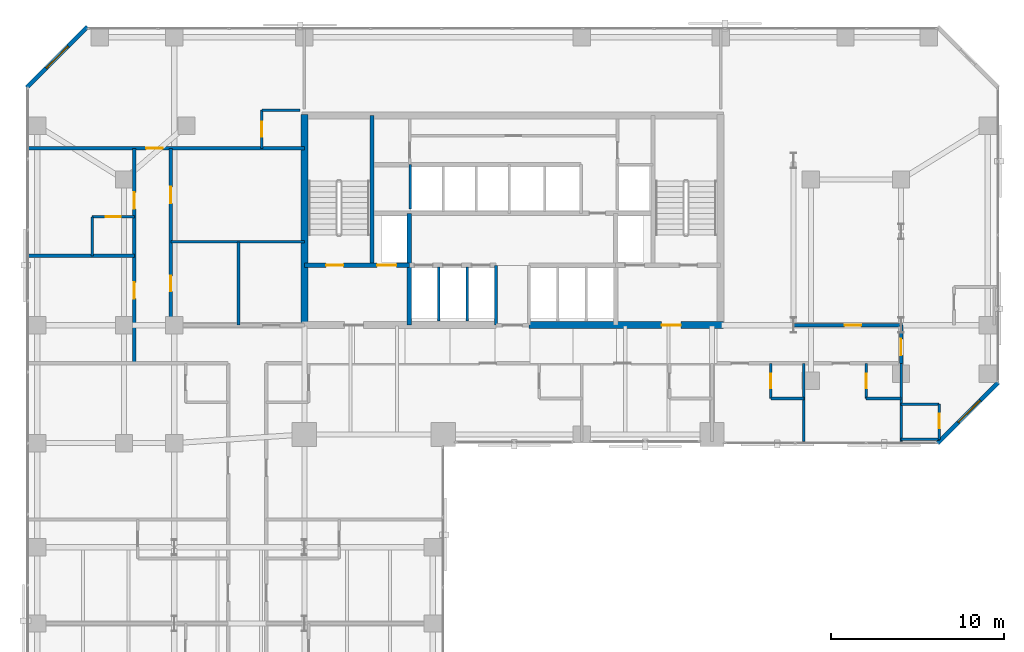
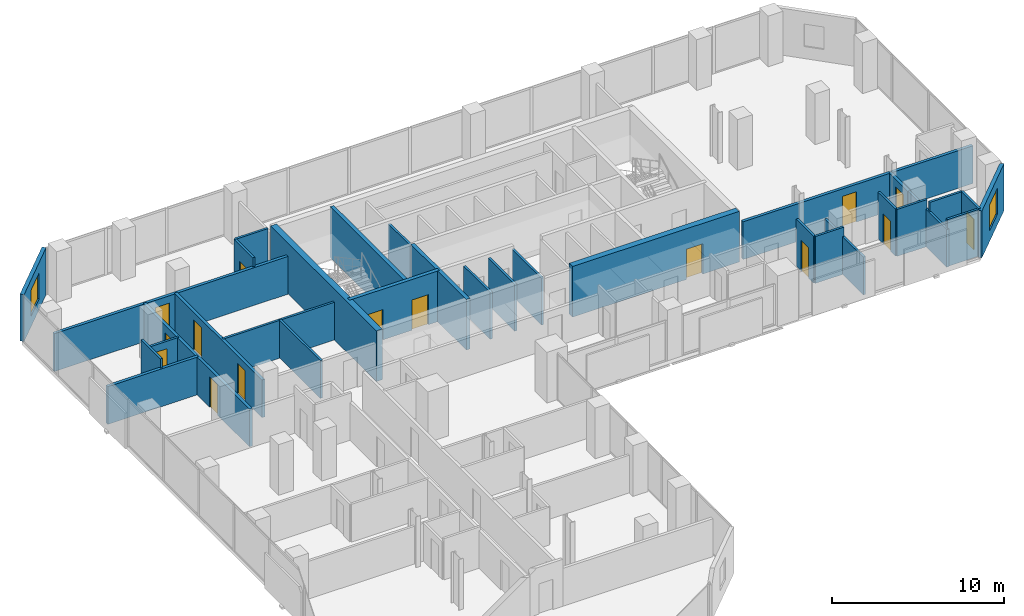
# One storey, part 28 of 32: 32 walls, 15 doors, 2 windows, 17 openings.
"""IFC4 building model written with IfcOpenShell, lengths in metres."""

from ifc_helpers import new_model, si_unit, direction, frame, frame_2d, origin, place, context, subcontext, project, spatial, rectangle, extrude, material, layer, layer_set, type_object, element, fill, save


model = new_model("IFC4")

# Units and contexts
model_context = context("Model", 3, precision=1e-05, world=origin(), true_north=direction((0.0, 1.0)))
body_context = subcontext(model_context, "Body", "Model", "MODEL_VIEW")
ifc_project = project(units=[si_unit("LENGTHUNIT", "METRE"), si_unit("AREAUNIT", "SQUARE_METRE"), si_unit("VOLUMEUNIT", "CUBIC_METRE"), si_unit("PLANEANGLEUNIT", "RADIAN"), si_unit("MASSUNIT", "GRAM", prefix="KILO")], contexts=[model_context])

# Site, building, storey
site_placement = place(None, origin())
site = spatial("IfcSite", under=ifc_project, at=site_placement, CompositionType="ELEMENT")
building_placement = place(site_placement, origin())
building = spatial("IfcBuilding", under=site, at=building_placement, Name="Catumbela Crestline Tower", CompositionType="ELEMENT")
storey_placement = place(building_placement, frame((0.0, 0.0, 33.0)))
storey = spatial("IfcBuildingStorey", under=building, at=storey_placement, Name="L07", CompositionType="ELEMENT", Elevation=33.0)

# Walls
ifc_material_1 = material(Name="Concrete C50/60", Category="concrete")
ifc_layer_1 = layer(ifc_material_1, 0.25, Name="Concrete C50/60")
ifc_layer_set_1 = layer_set([ifc_layer_1], Name="Concrete C50/60")
wall_type_1 = type_object("IfcWallType", Name="CW-250D", PredefinedType="SHEAR", material=ifc_layer_set_1)
wall_1_placement = place(storey_placement, frame((19.9, 34.25, 0.0), z_axis=(0.0, 0.0, 1.0), x_axis=(0.0, 1.0, 0.0)))
element("IfcWall", 1, at=wall_1_placement, inside=storey, type_object=wall_type_1, Name="L07 Structural Core Shear Wall WWEB", PredefinedType="SHEAR", context=body_context, shape_type="SweptSolid", body=[
    extrude(rectangle(XDim=8.65, YDim=0.25, at=frame_2d((4.325, 0.0))), origin(), (0.0, 0.0, 1.0), 3.6),
])
wall_2_placement = place(storey_placement, frame((22.05, 30.8, 0.0), z_axis=(0.0, 0.0, 1.0), x_axis=(0.0, 1.0, 0.0)))
element("IfcWall", 2, at=wall_2_placement, inside=storey, type_object=wall_type_1, Name="L07 Structural Core Shear Wall FFW", PredefinedType="SHEAR", context=body_context, shape_type="SweptSolid", body=[
    extrude(rectangle(XDim=6.45, YDim=0.25, at=frame_2d((3.225, 0.0))), origin(), (0.0, 0.0, 1.0), 3.6),
])

# Wall, openings, doors
wall_3_placement = place(storey_placement, frame((16.0, 34.25, 0.0), z_axis=(0.0, 0.0, 1.0), x_axis=(1.0, 0.0, 0.0)))
wall_3 = element("IfcWall", 3, at=wall_3_placement, inside=storey, type_object=wall_type_1, Name="L07 Structural Core Shear Wall ST1S", PredefinedType="SHEAR", context=body_context, shape_type="SweptSolid", body=[
    extrude(rectangle(XDim=6.05, YDim=0.25, at=frame_2d((3.025, 0.0))), origin(), (0.0, 0.0, 1.0), 3.6),
])
opening_1_placement = place(wall_3_placement, frame((1.25, 0.0, 0.0)))
opening_1 = element("IfcOpeningElement", 4, at=opening_1_placement, cuts=wall_3, Name="Opening DF9-100", PredefinedType="OPENING", context=body_context, shape_type="SweptSolid", body=[
    extrude(rectangle(XDim=1.0, YDim=2.15, at=frame_2d((0.5, 1.075))), frame((0.0, 0.135, 0.0), z_axis=(0.0, -1.0, 0.0), x_axis=(1.0, 0.0, 0.0)), (0.0, 0.0, 1.0), 0.27),
])
opening_2_placement = place(wall_3_placement, frame((4.2, 0.0, 0.0)))
opening_2 = element("IfcOpeningElement", 5, at=opening_2_placement, cuts=wall_3, Name="Opening LD-110", PredefinedType="OPENING", context=body_context, shape_type="SweptSolid", body=[
    extrude(rectangle(XDim=1.1, YDim=2.15, at=frame_2d((0.55, 1.075))), frame((0.0, 0.135, 0.0), z_axis=(0.0, -1.0, 0.0), x_axis=(1.0, 0.0, 0.0)), (0.0, 0.0, 1.0), 0.27),
])
ifc_material_2 = material(Name="Stainless steel EN 1.4401", Category="steel")
door_type_1 = type_object("IfcDoorType", Name="DF9-100", OperationType="NOTDEFINED", PredefinedType="DOOR", material=ifc_material_2)
door_1_placement = place(opening_1_placement, origin())
door_1 = element("IfcDoor", 6, at=door_1_placement, inside=storey, type_object=door_type_1, Name="L07 Interior Door DR-L07-ST01", OperationType="SINGLE_SWING_LEFT", OverallHeight=2.15, OverallWidth=1.0, PredefinedType="DOOR", context=body_context, shape_type="SweptSolid", body=[
    extrude(rectangle(XDim=1.0, YDim=2.15, at=frame_2d((0.5, 1.075))), frame((0.0, 0.025, 0.0), z_axis=(0.0, -1.0, 0.0), x_axis=(1.0, 0.0, 0.0)), (0.0, 0.0, 1.0), 0.05),
])
fill(opening_1, door_1)
door_type_2 = type_object("IfcDoorType", Name="LD-110", OperationType="NOTDEFINED", PredefinedType="DOOR", material=ifc_material_2)
door_2_placement = place(opening_2_placement, origin())
door_2 = element("IfcDoor", 7, at=door_2_placement, inside=storey, type_object=door_type_2, Name="L07 Lift Landing Sliding Door FL-01", OperationType="DOUBLE_DOOR_SLIDING", OverallHeight=2.15, OverallWidth=1.1, PredefinedType="DOOR", context=body_context, shape_type="SweptSolid", body=[
    extrude(rectangle(XDim=1.1, YDim=2.15, at=frame_2d((0.55, 1.075))), frame((0.0, 0.025, 0.0), z_axis=(0.0, -1.0, 0.0), x_axis=(1.0, 0.0, 0.0)), (0.0, 0.0, 1.0), 0.05),
])
fill(opening_2, door_2)

# Wall
ifc_material_3 = material(Name="Concrete C60/75", Category="concrete")
ifc_layer_2 = layer(ifc_material_3, 0.4, Name="Concrete C60/75")
ifc_layer_set_2 = layer_set([ifc_layer_2], Name="Concrete C60/75")
wall_type_2 = type_object("IfcWallType", Name="CW-400A", PredefinedType="SHEAR", material=ifc_layer_set_2)
wall_4_placement = place(storey_placement, frame((16.0, 30.65, 0.0), z_axis=(0.0, 0.0, 1.0), x_axis=(0.0, 1.0, 0.0)))
element("IfcWall", 8, at=wall_4_placement, inside=storey, type_object=wall_type_2, Name="L07 Structural Core Shear Wall W", PredefinedType="SHEAR", context=body_context, shape_type="SweptSolid", body=[
    extrude(rectangle(XDim=12.3, YDim=0.4, at=frame_2d((6.15, 0.0))), origin(), (0.0, 0.0, 1.0), 3.6),
])

# Wall, opening, door
wall_5_placement = place(storey_placement, frame((28.95, 30.8, 0.0), z_axis=(0.0, 0.0, 1.0), x_axis=(1.0, 0.0, 0.0)))
wall_5 = element("IfcWall", 9, at=wall_5_placement, inside=storey, type_object=wall_type_2, Name="L07 Structural Core Shear Wall SE", PredefinedType="SHEAR", context=body_context, shape_type="SweptSolid", body=[
    extrude(rectangle(XDim=11.2, YDim=0.4, at=frame_2d((5.6, 0.0))), origin(), (0.0, 0.0, 1.0), 3.6),
])
opening_3_placement = place(wall_5_placement, frame((7.65, 0.0, 0.0)))
opening_3 = element("IfcOpeningElement", 10, at=opening_3_placement, cuts=wall_5, Name="Opening DF9-110", PredefinedType="OPENING", context=body_context, shape_type="SweptSolid", body=[
    extrude(rectangle(XDim=1.1, YDim=2.15, at=frame_2d((0.55, 1.075))), frame((0.0, 0.21, 0.0), z_axis=(0.0, -1.0, 0.0), x_axis=(1.0, 0.0, 0.0)), (0.0, 0.0, 1.0), 0.42),
])
door_type_3 = type_object("IfcDoorType", Name="DF9-110", OperationType="NOTDEFINED", PredefinedType="DOOR", material=ifc_material_2)
door_3_placement = place(opening_3_placement, origin())
door_3 = element("IfcDoor", 11, at=door_3_placement, inside=storey, type_object=door_type_3, Name="L07 Interior Door DR-L07-FFE-S", OperationType="SINGLE_SWING_RIGHT", OverallHeight=2.15, OverallWidth=1.1, PredefinedType="DOOR", context=body_context, shape_type="SweptSolid", body=[
    extrude(rectangle(XDim=1.1, YDim=2.15, at=frame_2d((0.55, 1.075))), frame((0.0, 0.025, 0.0), z_axis=(0.0, -1.0, 0.0), x_axis=(1.0, 0.0, 0.0)), (0.0, 0.0, 1.0), 0.05),
])
fill(opening_3, door_3)

# Wall, openings, doors
ifc_material_4 = material(Name="Acoustic gypsum and mineral-wool partition")
ifc_layer_3 = layer(ifc_material_4, 0.2, Name="Acoustic gypsum and mineral-wool partition")
ifc_layer_set_3 = layer_set([ifc_layer_3], Name="Acoustic gypsum and mineral-wool partition")
wall_type_3 = type_object("IfcWallType", Name="WC-200", PredefinedType="PARTITIONING", material=ifc_layer_set_3)
wall_6_placement = place(storey_placement, frame((8.3, 30.8, 0.0), z_axis=(0.0, 0.0, 1.0), x_axis=(0.0, 1.0, 0.0)))
wall_6 = element("IfcWall", 12, at=wall_6_placement, inside=storey, type_object=wall_type_3, Name="L07 Interior Partition PW-L07-AWC-W", PredefinedType="PARTITIONING", context=body_context, shape_type="SweptSolid", body=[
    extrude(rectangle(XDim=10.2, YDim=0.2, at=frame_2d((5.1, 0.0))), origin(), (0.0, 0.0, 1.0), 2.68),
])
opening_4_placement = place(wall_6_placement, frame((1.95, 0.0, 0.0)))
opening_4 = element("IfcOpeningElement", 13, at=opening_4_placement, cuts=wall_6, Name="Opening DI-090", PredefinedType="OPENING", context=body_context, shape_type="SweptSolid", body=[
    extrude(rectangle(XDim=0.9, YDim=2.15, at=frame_2d((0.45, 1.075))), frame((0.0, 0.11, 0.0), z_axis=(0.0, -1.0, 0.0), x_axis=(1.0, 0.0, 0.0)), (0.0, 0.0, 1.0), 0.22),
])
opening_5_placement = place(wall_6_placement, frame((7.025, 0.0, 0.0)))
opening_5 = element("IfcOpeningElement", 14, at=opening_5_placement, cuts=wall_6, Name="Opening DF6-095", PredefinedType="OPENING", context=body_context, shape_type="SweptSolid", body=[
    extrude(rectangle(XDim=0.95, YDim=2.15, at=frame_2d((0.475, 1.075))), frame((0.0, 0.11, 0.0), z_axis=(0.0, -1.0, 0.0), x_axis=(1.0, 0.0, 0.0)), (0.0, 0.0, 1.0), 0.22),
])
ifc_material_5 = material(Name="Aluminium alloy AW-6060-T66", Category="aluminium")
door_type_4 = type_object("IfcDoorType", Name="DF6-095", OperationType="NOTDEFINED", PredefinedType="DOOR", material=ifc_material_5)
door_4_placement = place(opening_5_placement, origin())
door_4 = element("IfcDoor", 15, at=door_4_placement, inside=storey, type_object=door_type_4, Name="L07 Interior Door DR-L07-NWE1-ENT", OperationType="SINGLE_SWING_RIGHT", OverallHeight=2.15, OverallWidth=0.95, PredefinedType="DOOR", context=body_context, shape_type="SweptSolid", body=[
    extrude(rectangle(XDim=0.95, YDim=2.15, at=frame_2d((0.475, 1.075))), frame((0.0, 0.025, 0.0), z_axis=(0.0, -1.0, 0.0), x_axis=(1.0, 0.0, 0.0)), (0.0, 0.0, 1.0), 0.05),
])
fill(opening_5, door_4)
door_type_5 = type_object("IfcDoorType", Name="DI-090", OperationType="NOTDEFINED", PredefinedType="DOOR", material=ifc_material_5)
door_5_placement = place(opening_4_placement, origin())
door_5 = element("IfcDoor", 16, at=door_5_placement, inside=storey, type_object=door_type_5, Name="L07 Interior Door DR-L07-STWC", OperationType="SINGLE_SWING_RIGHT", OverallHeight=2.15, OverallWidth=0.9, PredefinedType="DOOR", context=body_context, shape_type="SweptSolid", body=[
    extrude(rectangle(XDim=0.9, YDim=2.15, at=frame_2d((0.45, 1.075))), frame((0.0, 0.025, 0.0), z_axis=(0.0, -1.0, 0.0), x_axis=(1.0, 0.0, 0.0)), (0.0, 0.0, 1.0), 0.05),
])
fill(opening_4, door_5)

# Wall, opening, door
wall_7_placement = place(storey_placement, frame((0.1, 41.0, 0.0), z_axis=(0.0, 0.0, 1.0), x_axis=(1.0, 0.0, 0.0)))
wall_7 = element("IfcWall", 17, at=wall_7_placement, inside=storey, type_object=wall_type_3, Name="L07 Interior Partition PW-L07-NWTOP-ENT", PredefinedType="PARTITIONING", context=body_context, shape_type="SweptSolid", body=[
    extrude(rectangle(XDim=15.9, YDim=0.2, at=frame_2d((7.95, 0.0))), origin(), (0.0, 0.0, 1.0), 2.68),
])
opening_6_placement = place(wall_7_placement, frame((6.7788, 0.0, 0.0)))
opening_6 = element("IfcOpeningElement", 18, at=opening_6_placement, cuts=wall_7, Name="Opening DF6-095", PredefinedType="OPENING", context=body_context, shape_type="SweptSolid", body=[
    extrude(rectangle(XDim=0.95, YDim=2.15, at=frame_2d((0.475, 1.075))), frame((0.0, 0.11, 0.0), z_axis=(0.0, -1.0, 0.0), x_axis=(1.0, 0.0, 0.0)), (0.0, 0.0, 1.0), 0.22),
])
door_6_placement = place(opening_6_placement, origin())
door_6 = element("IfcDoor", 19, at=door_6_placement, inside=storey, type_object=door_type_4, Name="L07 Interior Door DR-L07-NWTOP-ENT", OperationType="SINGLE_SWING_LEFT", OverallHeight=2.15, OverallWidth=0.95, PredefinedType="DOOR", context=body_context, shape_type="SweptSolid", body=[
    extrude(rectangle(XDim=0.95, YDim=2.15, at=frame_2d((0.475, 1.075))), frame((0.0, 0.025, 0.0), z_axis=(0.0, -1.0, 0.0), x_axis=(1.0, 0.0, 0.0)), (0.0, 0.0, 1.0), 0.05),
])
fill(opening_6, door_6)

# Wall, openings, doors
wall_8_placement = place(storey_placement, frame((6.2, 28.6, 0.0), z_axis=(0.0, 0.0, 1.0), x_axis=(0.0, 1.0, 0.0)))
wall_8 = element("IfcWall", 20, at=wall_8_placement, inside=storey, type_object=wall_type_3, Name="L07 Interior Partition PW-L07-NWW1-ENT", PredefinedType="PARTITIONING", context=body_context, shape_type="SweptSolid", body=[
    extrude(rectangle(XDim=12.4, YDim=0.2, at=frame_2d((6.2, 0.0))), origin(), (0.0, 0.0, 1.0), 2.68),
])
opening_7_placement = place(wall_8_placement, frame((3.725, 0.0, 0.0)))
opening_7 = element("IfcOpeningElement", 21, at=opening_7_placement, cuts=wall_8, Name="Opening DF6-095", PredefinedType="OPENING", context=body_context, shape_type="SweptSolid", body=[
    extrude(rectangle(XDim=0.95, YDim=2.15, at=frame_2d((0.475, 1.075))), frame((0.0, 0.11, 0.0), z_axis=(0.0, -1.0, 0.0), x_axis=(1.0, 0.0, 0.0)), (0.0, 0.0, 1.0), 0.22),
])
opening_8_placement = place(wall_8_placement, frame((8.91, 0.0, 0.0)))
opening_8 = element("IfcOpeningElement", 22, at=opening_8_placement, cuts=wall_8, Name="Opening DF6-095", PredefinedType="OPENING", context=body_context, shape_type="SweptSolid", body=[
    extrude(rectangle(XDim=0.95, YDim=2.15, at=frame_2d((0.475, 1.075))), frame((0.0, 0.11, 0.0), z_axis=(0.0, -1.0, 0.0), x_axis=(1.0, 0.0, 0.0)), (0.0, 0.0, 1.0), 0.22),
])
door_7_placement = place(opening_7_placement, origin())
door_7 = element("IfcDoor", 23, at=door_7_placement, inside=storey, type_object=door_type_4, Name="L07 Interior Door DR-L07-NWW1-ENT", OperationType="SINGLE_SWING_RIGHT", OverallHeight=2.15, OverallWidth=0.95, PredefinedType="DOOR", context=body_context, shape_type="SweptSolid", body=[
    extrude(rectangle(XDim=0.95, YDim=2.15, at=frame_2d((0.475, 1.075))), frame((0.0, 0.025, 0.0), z_axis=(0.0, -1.0, 0.0), x_axis=(1.0, 0.0, 0.0)), (0.0, 0.0, 1.0), 0.05),
])
fill(opening_7, door_7)
door_8_placement = place(opening_8_placement, origin())
door_8 = element("IfcDoor", 24, at=door_8_placement, inside=storey, type_object=door_type_4, Name="L07 Interior Door DR-L07-NWW2-ENT", OperationType="SINGLE_SWING_LEFT", OverallHeight=2.15, OverallWidth=0.95, PredefinedType="DOOR", context=body_context, shape_type="SweptSolid", body=[
    extrude(rectangle(XDim=0.95, YDim=2.15, at=frame_2d((0.475, 1.075))), frame((0.0, 0.025, 0.0), z_axis=(0.0, -1.0, 0.0), x_axis=(1.0, 0.0, 0.0)), (0.0, 0.0, 1.0), 0.05),
])
fill(opening_8, door_8)

# Wall, opening, door
wall_9_placement = place(storey_placement, frame((40.47, 30.8, 0.0), z_axis=(0.0, 0.0, 1.0), x_axis=(1.0, 0.0, 0.0)))
wall_9 = element("IfcWall", 25, at=wall_9_placement, inside=storey, type_object=wall_type_3, Name="L07 Interior Partition PW-L07-NES-ENT", PredefinedType="PARTITIONING", context=body_context, shape_type="SweptSolid", body=[
    extrude(rectangle(XDim=15.43, YDim=0.2, at=frame_2d((7.715, 0.0))), origin(), (0.0, 0.0, 1.0), 2.68),
])
opening_9_placement = place(wall_9_placement, frame((6.6725, 0.0, 0.0)))
opening_9 = element("IfcOpeningElement", 26, at=opening_9_placement, cuts=wall_9, Name="Opening DF6-095", PredefinedType="OPENING", context=body_context, shape_type="SweptSolid", body=[
    extrude(rectangle(XDim=0.95, YDim=2.15, at=frame_2d((0.475, 1.075))), frame((0.0, 0.11, 0.0), z_axis=(0.0, -1.0, 0.0), x_axis=(1.0, 0.0, 0.0)), (0.0, 0.0, 1.0), 0.22),
])
door_9_placement = place(opening_9_placement, origin())
door_9 = element("IfcDoor", 27, at=door_9_placement, inside=storey, type_object=door_type_4, Name="L07 Interior Door DR-L07-NES-ENT", OperationType="SINGLE_SWING_LEFT", OverallHeight=2.15, OverallWidth=0.95, PredefinedType="DOOR", context=body_context, shape_type="SweptSolid", body=[
    extrude(rectangle(XDim=0.95, YDim=2.15, at=frame_2d((0.475, 1.075))), frame((0.0, 0.025, 0.0), z_axis=(0.0, -1.0, 0.0), x_axis=(1.0, 0.0, 0.0)), (0.0, 0.0, 1.0), 0.05),
])
fill(opening_9, door_9)

wall_10_placement = place(storey_placement, frame((50.4, 28.6, 0.0), z_axis=(0.0, 0.0, 1.0), x_axis=(0.0, 1.0, 0.0)))
wall_10 = element("IfcWall", 28, at=wall_10_placement, inside=storey, type_object=wall_type_3, Name="L07 Interior Partition PW-L07-NESE-ENT", PredefinedType="PARTITIONING", context=body_context, shape_type="SweptSolid", body=[
    extrude(rectangle(XDim=2.2, YDim=0.2, at=frame_2d((1.1, 0.0))), origin(), (0.0, 0.0, 1.0), 2.68),
])
opening_10_placement = place(wall_10_placement, frame((0.46, 0.0, 0.0)))
opening_10 = element("IfcOpeningElement", 29, at=opening_10_placement, cuts=wall_10, Name="Opening DF6-095", PredefinedType="OPENING", context=body_context, shape_type="SweptSolid", body=[
    extrude(rectangle(XDim=0.95, YDim=2.15, at=frame_2d((0.475, 1.075))), frame((0.0, 0.11, 0.0), z_axis=(0.0, -1.0, 0.0), x_axis=(1.0, 0.0, 0.0)), (0.0, 0.0, 1.0), 0.22),
])
door_10_placement = place(opening_10_placement, origin())
door_10 = element("IfcDoor", 30, at=door_10_placement, inside=storey, type_object=door_type_4, Name="L07 Interior Door DR-L07-NESE-ENT", OperationType="SINGLE_SWING_RIGHT", OverallHeight=2.15, OverallWidth=0.95, PredefinedType="DOOR", context=body_context, shape_type="SweptSolid", body=[
    extrude(rectangle(XDim=0.95, YDim=2.15, at=frame_2d((0.475, 1.075))), frame((0.0, 0.025, 0.0), z_axis=(0.0, -1.0, 0.0), x_axis=(1.0, 0.0, 0.0)), (0.0, 0.0, 1.0), 0.05),
])
fill(opening_10, door_10)

# Wall, opening, window
ifc_material_6 = material(Name="Angolan grey-ochre granite", Category="masonry")
ifc_layer_4 = layer(ifc_material_6, 0.25, Name="Angolan grey-ochre granite")
ifc_layer_set_4 = layer_set([ifc_layer_4], Name="Angolan grey-ochre granite")
wall_type_4 = type_object("IfcWallType", Name="WE-250", PredefinedType="STANDARD", material=ifc_layer_set_4)
wall_11_placement = place(storey_placement, frame((52.5, 24.0, 0.0), z_axis=(0.0, 0.0, 1.0), x_axis=(0.707106781187, 0.707106781187, 0.0)))
wall_11 = element("IfcWall", 31, at=wall_11_placement, inside=storey, type_object=wall_type_4, Name="L07 Granite Punched Window Wall 4-1", PredefinedType="STANDARD", context=body_context, shape_type="SweptSolid", body=[
    extrude(rectangle(XDim=4.9497, YDim=0.25, at=frame_2d((2.4748, 0.0))), origin(), (0.0, 0.0, 1.0), 3.33),
])
opening_11_placement = place(wall_11_placement, frame((1.6851, 0.0, 0.75)))
opening_11 = element("IfcOpeningElement", 32, at=opening_11_placement, cuts=wall_11, Name="Opening WN-01", PredefinedType="OPENING", context=body_context, shape_type="SweptSolid", body=[
    extrude(rectangle(XDim=1.8, YDim=1.85, at=frame_2d((0.9, 0.925))), frame((0.0, 0.135, 0.0), z_axis=(0.0, -1.0, 0.0), x_axis=(1.0, 0.0, 0.0)), (0.0, 0.0, 1.0), 0.27),
])
ifc_material_7 = material(Name="Low-E laminated solar-control double glazing", Category="glass")
window_type = type_object("IfcWindowType", Name="WF-1800", PartitioningType="SINGLE_PANEL", PredefinedType="WINDOW", material=ifc_material_7)
window_1_placement = place(opening_11_placement, origin())
window_1 = element("IfcWindow", 33, at=window_1_placement, inside=storey, type_object=window_type, Name="L07 Facade Vision Window 59", OverallHeight=1.85, OverallWidth=1.8, PartitioningType="SINGLE_PANEL", PredefinedType="WINDOW", context=body_context, shape_type="SweptSolid", body=[
    extrude(rectangle(XDim=1.8, YDim=1.85, at=frame_2d((0.9, 0.925))), frame((0.0, 0.03, 0.0), z_axis=(0.0, -1.0, 0.0), x_axis=(1.0, 0.0, 0.0)), (0.0, 0.0, 1.0), 0.06),
])
fill(opening_11, window_1)

wall_12_placement = place(storey_placement, frame((3.5, 48.0, 0.0), z_axis=(0.0, 0.0, 1.0), x_axis=(-0.707106781187, -0.707106781187, 0.0)))
wall_12 = element("IfcWall", 34, at=wall_12_placement, inside=storey, type_object=wall_type_4, Name="L07 Granite Punched Window Wall 8-1", PredefinedType="STANDARD", context=body_context, shape_type="SweptSolid", body=[
    extrude(rectangle(XDim=4.9497, YDim=0.25, at=frame_2d((2.4748, 0.0))), origin(), (0.0, 0.0, 1.0), 3.33),
])
opening_12_placement = place(wall_12_placement, frame((1.5749, 0.0, 0.75)))
opening_12 = element("IfcOpeningElement", 35, at=opening_12_placement, cuts=wall_12, Name="Opening WN-01", PredefinedType="OPENING", context=body_context, shape_type="SweptSolid", body=[
    extrude(rectangle(XDim=1.8, YDim=1.85, at=frame_2d((0.9, 0.925))), frame((0.0, 0.135, 0.0), z_axis=(0.0, -1.0, 0.0), x_axis=(1.0, 0.0, 0.0)), (0.0, 0.0, 1.0), 0.27),
])
window_2_placement = place(opening_12_placement, origin())
window_2 = element("IfcWindow", 36, at=window_2_placement, inside=storey, type_object=window_type, Name="L07 Facade Vision Window 61", OverallHeight=1.85, OverallWidth=1.8, PartitioningType="SINGLE_PANEL", PredefinedType="WINDOW", context=body_context, shape_type="SweptSolid", body=[
    extrude(rectangle(XDim=1.8, YDim=1.85, at=frame_2d((0.9, 0.925))), frame((0.0, 0.03, 0.0), z_axis=(0.0, -1.0, 0.0), x_axis=(1.0, 0.0, 0.0)), (0.0, 0.0, 1.0), 0.06),
])
fill(opening_12, window_2)

# Walls
ifc_layer_5 = layer(ifc_material_4, 0.15, Name="Acoustic gypsum and mineral-wool partition")
ifc_layer_set_5 = layer_set([ifc_layer_5], Name="Acoustic gypsum and mineral-wool partition")
wall_type_5 = type_object("IfcWallType", Name="WP-150", PredefinedType="PARTITIONING", material=ifc_layer_set_5)
wall_13_placement = place(storey_placement, frame((8.3, 35.6, 0.0), z_axis=(0.0, 0.0, 1.0), x_axis=(1.0, 0.0, 0.0)))
element("IfcWall", 37, at=wall_13_placement, inside=storey, type_object=wall_type_5, Name="L07 Interior Partition PW-L07-HK-N", PredefinedType="PARTITIONING", context=body_context, shape_type="SweptSolid", body=[
    extrude(rectangle(XDim=7.7, YDim=0.15, at=frame_2d((3.85, 0.0))), origin(), (0.0, 0.0, 1.0), 2.68),
])
wall_14_placement = place(storey_placement, frame((12.2, 30.8, 0.0), z_axis=(0.0, 0.0, 1.0), x_axis=(0.0, 1.0, 0.0)))
element("IfcWall", 38, at=wall_14_placement, inside=storey, type_object=wall_type_5, Name="L07 Interior Partition PW-L07-HK-M", PredefinedType="PARTITIONING", context=body_context, shape_type="SweptSolid", body=[
    extrude(rectangle(XDim=4.8, YDim=0.15, at=frame_2d((2.4, 0.0))), origin(), (0.0, 0.0, 1.0), 2.68),
])
wall_15_placement = place(storey_placement, frame((13.55, 43.2, 0.0), z_axis=(0.0, 0.0, 1.0), x_axis=(1.0, 0.0, 0.0)))
element("IfcWall", 39, at=wall_15_placement, inside=storey, type_object=wall_type_5, Name="L07 Interior Partition PW-L07-NWTOP-BHW", PredefinedType="PARTITIONING", context=body_context, shape_type="SweptSolid", body=[
    extrude(rectangle(XDim=2.1897, YDim=0.15, at=frame_2d((1.0949, 0.0))), origin(), (0.0, 0.0, 1.0), 3.33),
])

# Wall, opening, door
wall_16_placement = place(storey_placement, frame((13.55, 41.0, 0.0), z_axis=(0.0, 0.0, 1.0), x_axis=(0.0, 1.0, 0.0)))
wall_16 = element("IfcWall", 40, at=wall_16_placement, inside=storey, type_object=wall_type_5, Name="L07 Interior Partition PW-L07-NWTOP-BWW", PredefinedType="PARTITIONING", context=body_context, shape_type="SweptSolid", body=[
    extrude(rectangle(XDim=2.2, YDim=0.15, at=frame_2d((1.1, 0.0))), origin(), (0.0, 0.0, 1.0), 3.33),
])
opening_13_placement = place(wall_16_placement, frame((0.675, 0.0, 0.0)))
opening_13 = element("IfcOpeningElement", 41, at=opening_13_placement, cuts=wall_16, Name="Opening DI-085", PredefinedType="OPENING", context=body_context, shape_type="SweptSolid", body=[
    extrude(rectangle(XDim=0.85, YDim=2.15, at=frame_2d((0.425, 1.075))), frame((0.0, 0.085, 0.0), z_axis=(0.0, -1.0, 0.0), x_axis=(1.0, 0.0, 0.0)), (0.0, 0.0, 1.0), 0.17),
])
door_type_6 = type_object("IfcDoorType", Name="DI-085", OperationType="NOTDEFINED", PredefinedType="DOOR", material=ifc_material_5)
door_11_placement = place(opening_13_placement, origin())
door_11 = element("IfcDoor", 42, at=door_11_placement, inside=storey, type_object=door_type_6, Name="L07 Interior Door DR-L07-NWTOP-BTH", OperationType="SINGLE_SWING_RIGHT", OverallHeight=2.15, OverallWidth=0.85, PredefinedType="DOOR", context=body_context, shape_type="SweptSolid", body=[
    extrude(rectangle(XDim=0.85, YDim=2.15, at=frame_2d((0.425, 1.075))), frame((0.0, 0.025, 0.0), z_axis=(0.0, -1.0, 0.0), x_axis=(1.0, 0.0, 0.0)), (0.0, 0.0, 1.0), 0.05),
])
fill(opening_13, door_11)

# Wall
wall_17_placement = place(storey_placement, frame((3.76, 34.8, 0.0), z_axis=(0.0, 0.0, 1.0), x_axis=(0.0, 1.0, 0.0)))
element("IfcWall", 43, at=wall_17_placement, inside=storey, type_object=wall_type_5, Name="L07 Interior Partition PW-L07-NWW2-BWW", PredefinedType="PARTITIONING", context=body_context, shape_type="SweptSolid", body=[
    extrude(rectangle(XDim=2.25, YDim=0.15, at=frame_2d((1.125, 0.0))), origin(), (0.0, 0.0, 1.0), 3.33),
])

# Wall, opening, door
wall_18_placement = place(storey_placement, frame((3.76, 37.05, 0.0), z_axis=(0.0, 0.0, 1.0), x_axis=(1.0, 0.0, 0.0)))
wall_18 = element("IfcWall", 44, at=wall_18_placement, inside=storey, type_object=wall_type_5, Name="L07 Interior Partition PW-L07-NWW2-BNW", PredefinedType="PARTITIONING", context=body_context, shape_type="SweptSolid", body=[
    extrude(rectangle(XDim=2.44, YDim=0.15, at=frame_2d((1.22, 0.0))), origin(), (0.0, 0.0, 1.0), 2.68),
])
opening_14_placement = place(wall_18_placement, frame((0.795, 0.0, 0.0)))
opening_14 = element("IfcOpeningElement", 45, at=opening_14_placement, cuts=wall_18, Name="Opening DI-085", PredefinedType="OPENING", context=body_context, shape_type="SweptSolid", body=[
    extrude(rectangle(XDim=0.85, YDim=2.15, at=frame_2d((0.425, 1.075))), frame((0.0, 0.085, 0.0), z_axis=(0.0, -1.0, 0.0), x_axis=(1.0, 0.0, 0.0)), (0.0, 0.0, 1.0), 0.17),
])
door_12_placement = place(opening_14_placement, origin())
door_12 = element("IfcDoor", 46, at=door_12_placement, inside=storey, type_object=door_type_6, Name="L07 Interior Door DR-L07-NWW2-BTH", OperationType="SINGLE_SWING_RIGHT", OverallHeight=2.15, OverallWidth=0.85, PredefinedType="DOOR", context=body_context, shape_type="SweptSolid", body=[
    extrude(rectangle(XDim=0.85, YDim=2.15, at=frame_2d((0.425, 1.075))), frame((0.0, 0.025, 0.0), z_axis=(0.0, -1.0, 0.0), x_axis=(1.0, 0.0, 0.0)), (0.0, 0.0, 1.0), 0.05),
])
fill(opening_14, door_12)

# Wall
wall_19_placement = place(storey_placement, frame((42.892, 26.576, 0.0), z_axis=(0.0, 0.0, 1.0), x_axis=(1.0, 0.0, 0.0)))
element("IfcWall", 47, at=wall_19_placement, inside=storey, type_object=wall_type_5, Name="L07 Interior Partition PW-L07-K3-BHW", PredefinedType="PARTITIONING", context=body_context, shape_type="SweptSolid", body=[
    extrude(rectangle(XDim=1.908, YDim=0.15, at=frame_2d((0.954, 0.0))), origin(), (0.0, 0.0, 1.0), 3.33),
])

# Wall, opening, door
wall_20_placement = place(storey_placement, frame((42.892, 26.576, 0.0), z_axis=(0.0, 0.0, 1.0), x_axis=(0.0, 1.0, 0.0)))
wall_20 = element("IfcWall", 48, at=wall_20_placement, inside=storey, type_object=wall_type_5, Name="L07 Interior Partition PW-L07-K3-BWW", PredefinedType="PARTITIONING", context=body_context, shape_type="SweptSolid", body=[
    extrude(rectangle(XDim=2.024, YDim=0.15, at=frame_2d((1.012, 0.0))), origin(), (0.0, 0.0, 1.0), 3.33),
])
opening_15_placement = place(wall_20_placement, frame((0.587, 0.0, 0.0)))
opening_15 = element("IfcOpeningElement", 49, at=opening_15_placement, cuts=wall_20, Name="Opening DI-085", PredefinedType="OPENING", context=body_context, shape_type="SweptSolid", body=[
    extrude(rectangle(XDim=0.85, YDim=2.15, at=frame_2d((0.425, 1.075))), frame((0.0, 0.085, 0.0), z_axis=(0.0, -1.0, 0.0), x_axis=(1.0, 0.0, 0.0)), (0.0, 0.0, 1.0), 0.17),
])
door_13_placement = place(opening_15_placement, origin())
door_13 = element("IfcDoor", 50, at=door_13_placement, inside=storey, type_object=door_type_6, Name="L07 Interior Door DR-L07-K3-BTH", OperationType="SINGLE_SWING_RIGHT", OverallHeight=2.15, OverallWidth=0.85, PredefinedType="DOOR", context=body_context, shape_type="SweptSolid", body=[
    extrude(rectangle(XDim=0.85, YDim=2.15, at=frame_2d((0.425, 1.075))), frame((0.0, 0.025, 0.0), z_axis=(0.0, -1.0, 0.0), x_axis=(1.0, 0.0, 0.0)), (0.0, 0.0, 1.0), 0.05),
])
fill(opening_15, door_13)

# Walls
wall_21_placement = place(storey_placement, frame((44.8, 28.6, 0.0), z_axis=(0.0, 0.0, 1.0), x_axis=(0.0, -1.0, 0.0)))
element("IfcWall", 51, at=wall_21_placement, inside=storey, type_object=wall_type_5, Name="L07 Interior Partition PW-L07-K3-BCL-2", PredefinedType="PARTITIONING", context=body_context, shape_type="SweptSolid", body=[
    extrude(rectangle(XDim=4.5, YDim=0.15, at=frame_2d((2.25, 0.0))), origin(), (0.0, 0.0, 1.0), 2.68),
])
wall_22_placement = place(storey_placement, frame((48.384, 26.576, 0.0), z_axis=(0.0, 0.0, 1.0), x_axis=(1.0, 0.0, 0.0)))
element("IfcWall", 52, at=wall_22_placement, inside=storey, type_object=wall_type_5, Name="L07 Interior Partition PW-L07-K4-BHW", PredefinedType="PARTITIONING", context=body_context, shape_type="SweptSolid", body=[
    extrude(rectangle(XDim=2.016, YDim=0.15, at=frame_2d((1.008, 0.0))), origin(), (0.0, 0.0, 1.0), 3.33),
])

# Wall, opening, door
wall_23_placement = place(storey_placement, frame((48.384, 26.576, 0.0), z_axis=(0.0, 0.0, 1.0), x_axis=(0.0, 1.0, 0.0)))
wall_23 = element("IfcWall", 53, at=wall_23_placement, inside=storey, type_object=wall_type_5, Name="L07 Interior Partition PW-L07-K4-BWW", PredefinedType="PARTITIONING", context=body_context, shape_type="SweptSolid", body=[
    extrude(rectangle(XDim=2.024, YDim=0.15, at=frame_2d((1.012, 0.0))), origin(), (0.0, 0.0, 1.0), 3.33),
])
opening_16_placement = place(wall_23_placement, frame((0.587, 0.0, 0.0)))
opening_16 = element("IfcOpeningElement", 54, at=opening_16_placement, cuts=wall_23, Name="Opening DI-085", PredefinedType="OPENING", context=body_context, shape_type="SweptSolid", body=[
    extrude(rectangle(XDim=0.85, YDim=2.15, at=frame_2d((0.425, 1.075))), frame((0.0, 0.085, 0.0), z_axis=(0.0, -1.0, 0.0), x_axis=(1.0, 0.0, 0.0)), (0.0, 0.0, 1.0), 0.17),
])
door_14_placement = place(opening_16_placement, origin())
door_14 = element("IfcDoor", 55, at=door_14_placement, inside=storey, type_object=door_type_6, Name="L07 Interior Door DR-L07-K4-BTH", OperationType="SINGLE_SWING_RIGHT", OverallHeight=2.15, OverallWidth=0.85, PredefinedType="DOOR", context=body_context, shape_type="SweptSolid", body=[
    extrude(rectangle(XDim=0.85, YDim=2.15, at=frame_2d((0.425, 1.075))), frame((0.0, 0.025, 0.0), z_axis=(0.0, -1.0, 0.0), x_axis=(1.0, 0.0, 0.0)), (0.0, 0.0, 1.0), 0.05),
])
fill(opening_16, door_14)

# Walls
wall_24_placement = place(storey_placement, frame((50.4, 28.6, 0.0), z_axis=(0.0, 0.0, 1.0), x_axis=(0.0, -1.0, 0.0)))
element("IfcWall", 56, at=wall_24_placement, inside=storey, type_object=wall_type_5, Name="L07 Interior Partition PW-L07-K4-BCL-2", PredefinedType="PARTITIONING", context=body_context, shape_type="SweptSolid", body=[
    extrude(rectangle(XDim=4.5, YDim=0.15, at=frame_2d((2.25, 0.0))), origin(), (0.0, 0.0, 1.0), 2.68),
])
wall_25_placement = place(storey_placement, frame((50.4, 26.25, 0.0), z_axis=(0.0, 0.0, 1.0), x_axis=(1.0, 0.0, 0.0)))
element("IfcWall", 57, at=wall_25_placement, inside=storey, type_object=wall_type_5, Name="L07 Interior Partition PW-L07-NESE-BNW", PredefinedType="PARTITIONING", context=body_context, shape_type="SweptSolid", body=[
    extrude(rectangle(XDim=2.2, YDim=0.15, at=frame_2d((1.1, 0.0))), origin(), (0.0, 0.0, 1.0), 3.33),
])

# Wall, opening, door
wall_26_placement = place(storey_placement, frame((52.6, 24.2, 0.0), z_axis=(0.0, 0.0, 1.0), x_axis=(0.0, 1.0, 0.0)))
wall_26 = element("IfcWall", 58, at=wall_26_placement, inside=storey, type_object=wall_type_5, Name="L07 Interior Partition PW-L07-NESE-BEW", PredefinedType="PARTITIONING", context=body_context, shape_type="SweptSolid", body=[
    extrude(rectangle(XDim=2.05, YDim=0.15, at=frame_2d((1.025, 0.0))), origin(), (0.0, 0.0, 1.0), 3.33),
])
opening_17_placement = place(wall_26_placement, frame((0.6514, 0.0, 0.0)))
opening_17 = element("IfcOpeningElement", 59, at=opening_17_placement, cuts=wall_26, Name="Opening DI-085", PredefinedType="OPENING", context=body_context, shape_type="SweptSolid", body=[
    extrude(rectangle(XDim=0.85, YDim=2.15, at=frame_2d((0.425, 1.075))), frame((0.0, 0.085, 0.0), z_axis=(0.0, -1.0, 0.0), x_axis=(1.0, 0.0, 0.0)), (0.0, 0.0, 1.0), 0.17),
])
door_15_placement = place(opening_17_placement, origin())
door_15 = element("IfcDoor", 60, at=door_15_placement, inside=storey, type_object=door_type_6, Name="L07 Interior Door DR-L07-NESE-BTH", OperationType="SINGLE_SWING_LEFT", OverallHeight=2.15, OverallWidth=0.85, PredefinedType="DOOR", context=body_context, shape_type="SweptSolid", body=[
    extrude(rectangle(XDim=0.85, YDim=2.15, at=frame_2d((0.425, 1.075))), frame((0.0, 0.025, 0.0), z_axis=(0.0, -1.0, 0.0), x_axis=(1.0, 0.0, 0.0)), (0.0, 0.0, 1.0), 0.05),
])
fill(opening_17, door_15)

# Walls
wall_27_placement = place(storey_placement, frame((52.62, 24.22, 0.0), z_axis=(0.0, 0.0, 1.0), x_axis=(-1.0, 0.0, 0.0)))
element("IfcWall", 61, at=wall_27_placement, inside=storey, type_object=wall_type_5, Name="L07 Interior Partition PW-L07-NESE-BCL-3", PredefinedType="PARTITIONING", context=body_context, shape_type="SweptSolid", body=[
    extrude(rectangle(XDim=2.22, YDim=0.15, at=frame_2d((1.11, 0.0))), origin(), (0.0, 0.0, 1.0), 3.33),
])
ifc_layer_6 = layer(ifc_material_4, 0.2, Name="Acoustic gypsum and mineral-wool partition")
ifc_layer_set_6 = layer_set([ifc_layer_6], Name="Acoustic gypsum and mineral-wool partition")
wall_type_6 = type_object("IfcWallType", Name="WY-200", PredefinedType="PARTITIONING", material=ifc_layer_set_6)
wall_28_placement = place(storey_placement, frame((0.1, 34.8, 0.0), z_axis=(0.0, 0.0, 1.0), x_axis=(1.0, 0.0, 0.0)))
element("IfcWall", 62, at=wall_28_placement, inside=storey, type_object=wall_type_6, Name="L07 Interior Partition PW-L07-NWW-M", PredefinedType="PARTITIONING", context=body_context, shape_type="SweptSolid", body=[
    extrude(rectangle(XDim=6.1, YDim=0.2, at=frame_2d((3.05, 0.0))), origin(), (0.0, 0.0, 1.0), 2.68),
])
ifc_layer_7 = layer(ifc_material_4, 0.15, Name="Acoustic gypsum and mineral-wool partition")
ifc_layer_set_7 = layer_set([ifc_layer_7], Name="Acoustic gypsum and mineral-wool partition")
wall_type_7 = type_object("IfcWallType", Name="WS-150", PredefinedType="PLUMBINGWALL", material=ifc_layer_set_7)
wall_29_placement = place(storey_placement, frame((27.05, 30.8, 0.0), z_axis=(0.0, 0.0, 1.0), x_axis=(0.0, 1.0, 0.0)))
element("IfcWall", 63, at=wall_29_placement, inside=storey, type_object=wall_type_7, Name="L07 Interior Partition PW-L07-THRW", PredefinedType="PLUMBINGWALL", context=body_context, shape_type="SweptSolid", body=[
    extrude(rectangle(XDim=3.45, YDim=0.15, at=frame_2d((1.725, 0.0))), origin(), (0.0, 0.0, 1.0), 3.33),
])
for number, where, z_axis, x_axis, name in (
    (64, (23.75, 31.05, 0.0), (0.0, 0.0, 1.0), (0.0, 1.0, 0.0), "L07 Interior Partition PW-L07-SHL1"),
    (65, (25.4, 31.05, 0.0), (0.0, 0.0, 1.0), (0.0, 1.0, 0.0), "L07 Interior Partition PW-L07-SHL2"),
):
    element("IfcWall", number, at=place(storey_placement, frame(where, z_axis=z_axis, x_axis=x_axis)), inside=storey, type_object=wall_type_7, Name=name, PredefinedType="PLUMBINGWALL", context=body_context, shape_type="SweptSolid", body=[
        extrude(rectangle(XDim=3.1, YDim=0.15, at=frame_2d((1.55, 0.0))), origin(), (0.0, 0.0, 1.0), 3.33),
    ])
wall_30_placement = place(storey_placement, frame((22.1, 37.4897, 0.0), z_axis=(0.0, 0.0, 1.0), x_axis=(0.0, 1.0, 0.0)))
element("IfcWall", 66, at=wall_30_placement, inside=storey, type_object=wall_type_7, Name="L07 Interior Partition PW-L07-SHH0", PredefinedType="PLUMBINGWALL", context=body_context, shape_type="SweptSolid", body=[
    extrude(rectangle(XDim=2.5603, YDim=0.15, at=frame_2d((1.2801, 0.0))), origin(), (0.0, 0.0, 1.0), 3.33),
])

save(model, "model.ifc")
